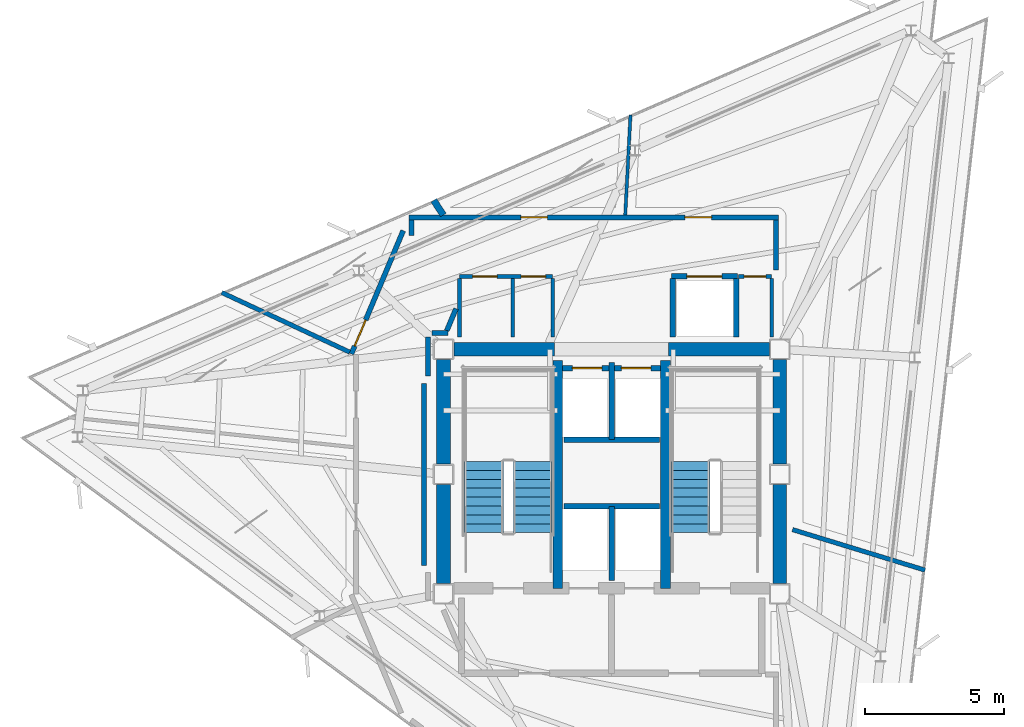
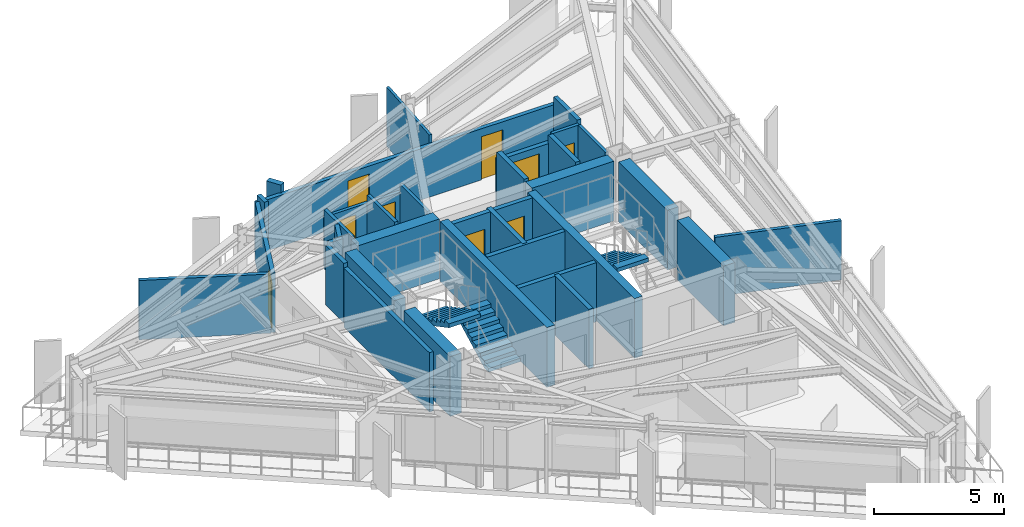
# One storey, part 6 of 10: 34 walls, 9 doors, 3 stair flights, 9 openings, 2 elements without a shape of their own.
"""IFC4 building model written with IfcOpenShell, lengths in metres."""

from ifc_helpers import new_model, si_unit, direction, frame, frame_2d, origin, place, context, subcontext, project, spatial, polyline, rectangle, outline, extrude, material, layer, layer_set, type_object, element, fill, aggregate, save


model = new_model("IFC4")

# Units and contexts
model_context = context("Model", 3, precision=1e-05, world=origin(), true_north=direction((0.0, 1.0)))
body_context = subcontext(model_context, "Body", "Model", "MODEL_VIEW")
ifc_project = project(units=[si_unit("LENGTHUNIT", "METRE"), si_unit("AREAUNIT", "SQUARE_METRE"), si_unit("VOLUMEUNIT", "CUBIC_METRE"), si_unit("PLANEANGLEUNIT", "RADIAN"), si_unit("MASSUNIT", "GRAM", prefix="KILO")], contexts=[model_context])

# Site, building, storey
site_placement = place(None, origin())
site = spatial("IfcSite", under=ifc_project, at=site_placement, CompositionType="ELEMENT")
building_placement = place(site_placement, origin())
building = spatial("IfcBuilding", under=site, at=building_placement, Name="Rocaltana Carrier Exchange", CompositionType="ELEMENT")
storey_placement = place(building_placement, frame((0.0, 0.0, 224.0)))
storey = spatial("IfcBuildingStorey", under=building, at=storey_placement, Name="L71", CompositionType="ELEMENT", Elevation=224.0)

# Walls
ifc_material_1 = material(Name="Double Acoustic Gypsum Partition", Category="gypsum")
ifc_layer_1 = layer(ifc_material_1, 0.159912109375)
ifc_layer_set_1 = layer_set([ifc_layer_1], Name="Double Acoustic Gypsum Partition")
wall_type_1 = type_object("IfcWallType", Name="Acoustic Studio Partition 160 EI60", PredefinedType="PARTITIONING", material=ifc_layer_set_1)
wall_1_placement = place(storey_placement, frame((6.510009765625, -1.990234375, 0.0), z_axis=(0.0, 0.0, 1.0), x_axis=(0.956296423481, -0.292398957653, 0.0)))
element("IfcWall", 1, at=wall_1_placement, inside=storey, type_object=wall_type_1, Name="L71 Suite Divider Wall D4", PredefinedType="PARTITIONING", context=body_context, shape_type="SweptSolid", body=[
    extrude(rectangle(XDim=4.984619140625, YDim=0.159912109375, at=frame_2d((2.4921875, 0.0))), origin(), (0.0, 0.0, 1.0), 2.77294921875),
])
wall_2_placement = place(storey_placement, frame((-9.4267578125, 4.395751953125, 0.0), z_axis=(0.0, 0.0, 1.0), x_axis=(-0.906319380456, 0.422593398682, 0.0)))
element("IfcWall", 2, at=wall_2_placement, inside=storey, type_object=wall_type_1, Name="L71 Suite Divider Wall D7", PredefinedType="PARTITIONING", context=body_context, shape_type="SweptSolid", body=[
    extrude(rectangle(XDim=5.079833984375, YDim=0.159912109375, at=frame_2d((2.5400390625, 0.0))), origin(), (0.0, 0.0, 1.0), 2.77294921875),
])
ifc_material_2 = material(Name="Concrete C50/60", Category="concrete")
ifc_layer_2 = layer(ifc_material_2, 0.35009765625)
ifc_layer_set_2 = layer_set([ifc_layer_2], Name="Concrete C50/60")
wall_type_2 = type_object("IfcWallType", Name="Core Internal Shear Wall 350", PredefinedType="SHEAR", material=ifc_layer_set_2)
for number, where, z_axis, x_axis, name in (
    (3, (-1.93994140625, -4.10009765625, 0.0), (0.0, 0.0, 1.0), (0.0, 1.0, 0.0), "L71 Core Shear Wall CW-STW"),
    (4, (1.93994140625, -4.10009765625, 0.0), (0.0, 0.0, 1.0), (0.0, 1.0, 0.0), "L71 Core Shear Wall CW-STE"),
):
    element("IfcWall", number, at=place(storey_placement, frame(where, z_axis=z_axis, x_axis=x_axis)), inside=storey, type_object=wall_type_2, Name=name, PredefinedType="SHEAR", context=body_context, shape_type="SweptSolid", body=[
        extrude(rectangle(XDim=8.2001953125, YDim=0.35009765625, at=frame_2d((4.10009765625, 0.0))), origin(), (0.0, 0.0, 1.0), 2.798095703125),
    ])
ifc_material_3 = material(Name="Concrete C50/60", Category="concrete")
ifc_layer_3 = layer(ifc_material_3, 0.5)
ifc_layer_set_3 = layer_set([ifc_layer_3], Name="Concrete C50/60")
wall_type_3 = type_object("IfcWallType", Name="Core Shear Wall 500", PredefinedType="SHEAR", material=ifc_layer_set_3)
wall_3_placement = place(storey_placement, frame((-6.050048828125, 0.375, 0.0), z_axis=(0.0, 0.0, 1.0), x_axis=(0.0, 1.0, 0.0)))
element("IfcWall", 5, at=wall_3_placement, inside=storey, type_object=wall_type_3, Name="L71 Core Shear Wall CW-WN", PredefinedType="SHEAR", context=body_context, shape_type="SweptSolid", body=[
    extrude(rectangle(XDim=3.75, YDim=0.5, at=frame_2d((1.875, 0.0))), origin(), (0.0, 0.0, 1.0), 2.798095703125),
])
wall_4_placement = place(storey_placement, frame((-6.050048828125, -3.925048828125, 0.0), z_axis=(0.0, 0.0, 1.0), x_axis=(0.0, 1.0, 0.0)))
element("IfcWall", 6, at=wall_4_placement, inside=storey, type_object=wall_type_3, Name="L71 Core Shear Wall CW-WS", PredefinedType="SHEAR", context=body_context, shape_type="SweptSolid", body=[
    extrude(rectangle(XDim=3.550048828125, YDim=0.5, at=frame_2d((1.77490234375, 0.0))), origin(), (0.0, 0.0, 1.0), 2.798095703125),
])
wall_5_placement = place(storey_placement, frame((6.050048828125, 0.375, 0.0), z_axis=(0.0, 0.0, 1.0), x_axis=(0.0, 1.0, 0.0)))
element("IfcWall", 7, at=wall_5_placement, inside=storey, type_object=wall_type_3, Name="L71 Core Shear Wall CW-EN", PredefinedType="SHEAR", context=body_context, shape_type="SweptSolid", body=[
    extrude(rectangle(XDim=3.75, YDim=0.5, at=frame_2d((1.875, 0.0))), origin(), (0.0, 0.0, 1.0), 2.798095703125),
])
wall_6_placement = place(storey_placement, frame((6.050048828125, -3.925048828125, 0.0), z_axis=(0.0, 0.0, 1.0), x_axis=(0.0, 1.0, 0.0)))
element("IfcWall", 8, at=wall_6_placement, inside=storey, type_object=wall_type_3, Name="L71 Core Shear Wall CW-ES", PredefinedType="SHEAR", context=body_context, shape_type="SweptSolid", body=[
    extrude(rectangle(XDim=3.550048828125, YDim=0.5, at=frame_2d((1.77490234375, 0.0))), origin(), (0.0, 0.0, 1.0), 2.798095703125),
])
for number, where, z_axis, x_axis, name in (
    (9, (-5.675048828125, 4.5, 0.0), (0.0, 0.0, 1.0), (1.0, 0.0, 0.0), "L71 Core Shear Wall CW-N1"),
    (10, (2.050048828125, 4.5, 0.0), (0.0, 0.0, 1.0), (1.0, 0.0, 0.0), "L71 Core Shear Wall CW-N2"),
):
    element("IfcWall", number, at=place(storey_placement, frame(where, z_axis=z_axis, x_axis=x_axis)), inside=storey, type_object=wall_type_3, Name=name, PredefinedType="SHEAR", context=body_context, shape_type="SweptSolid", body=[
        extrude(rectangle(XDim=3.625, YDim=0.5, at=frame_2d((1.8125, 0.0))), origin(), (0.0, 0.0, 1.0), 2.798095703125),
    ])

# Wall, opening, door
ifc_material_4 = material(Name="Gypsum & Steel Stud Partition", Category="steel")
ifc_layer_4 = layer(ifc_material_4, 0.179931640625)
ifc_layer_set_4 = layer_set([ifc_layer_4], Name="Gypsum & Steel Stud Partition")
wall_type_4 = type_object("IfcWallType", Name="Corridor Fire Partition 180 EI60", PredefinedType="PARTITIONING", material=ifc_layer_set_4)
wall_7_placement = place(storey_placement, frame((-9.36669921875, 4.331787109375, 0.0), z_axis=(0.0, 0.0, 1.0), x_axis=(0.387573945081, 0.921838617706, 0.0)))
wall_7 = element("IfcWall", 11, at=wall_7_placement, inside=storey, type_object=wall_type_4, Name="L71 Corridor Partition 3", PredefinedType="PARTITIONING", context=body_context, shape_type="SweptSolid", body=[
    extrude(rectangle(XDim=4.813232421875, YDim=0.179931640625, at=frame_2d((2.40673828125, 0.0))), origin(), (0.0, 0.0, 1.0), 2.77294921875),
])
opening_1_placement = place(wall_7_placement, frame((0.307373046875, 0.0, 0.0)))
opening_1 = element("IfcOpeningElement", 12, at=opening_1_placement, cuts=wall_7, Name="Opening D-LB104", PredefinedType="OPENING", context=body_context, shape_type="SweptSolid", body=[
    extrude(rectangle(XDim=1.02001953125, YDim=2.02001953125, at=frame_2d((0.510009765625, 1.010009765625))), frame((0.0, 0.099853515625, 0.0), z_axis=(0.0, -1.0, 0.0), x_axis=(1.0, 0.0, 0.0)), (0.0, 0.0, 1.0), 0.199951171875),
])
ifc_material_5 = material(Name="Powder-Coated Aluminium 6063-T6", Category="aluminium")
door_type_1 = type_object("IfcDoorType", Name="Laboratory Acoustic Door 1020x2020", OperationType="NOTDEFINED", PredefinedType="DOOR", material=ifc_material_5)
door_1_placement = place(opening_1_placement, origin())
door_1 = element("IfcDoor", 13, at=door_1_placement, inside=storey, type_object=door_type_1, Name="L71 Optical Switching Laboratory Entrance Door", OperationType="SINGLE_SWING_RIGHT", OverallHeight=2.02001953125, OverallWidth=1.02001953125, PredefinedType="DOOR", context=body_context, shape_type="SweptSolid", body=[
    extrude(rectangle(XDim=1.02001953125, YDim=2.02001953125, at=frame_2d((0.510009765625, 1.010009765625))), frame((0.0, 0.02490234375, 0.0), z_axis=(0.0, -1.0, 0.0), x_axis=(1.0, 0.0, 0.0)), (0.0, 0.0, 1.0), 0.050048828125),
])
fill(opening_1, door_1)

# Wall
wall_8_placement = place(storey_placement, frame((-7.199951171875, 8.6005859375, 0.0), z_axis=(0.0, 0.0, 1.0), x_axis=(0.0, 1.0, 0.0)))
element("IfcWall", 14, at=wall_8_placement, inside=storey, type_object=wall_type_4, Name="L71 Corridor Partition 4", PredefinedType="PARTITIONING", context=body_context, shape_type="SweptSolid", body=[
    extrude(rectangle(XDim=0.559326171875, YDim=0.179931640625, at=frame_2d((0.27978515625, 0.0))), origin(), (0.0, 0.0, 1.0), 2.77294921875),
])

# Wall, openings, doors
wall_9_placement = place(storey_placement, frame((-7.2900390625, 9.25, 0.0), z_axis=(0.0, 0.0, 1.0), x_axis=(1.0, 0.0, 0.0)))
wall_9 = element("IfcWall", 15, at=wall_9_placement, inside=storey, type_object=wall_type_4, Name="L71 Corridor Partition 5", PredefinedType="PARTITIONING", context=body_context, shape_type="SweptSolid", body=[
    extrude(rectangle(XDim=13.300048828125, YDim=0.179931640625, at=frame_2d((6.64990234375, 0.0))), origin(), (0.0, 0.0, 1.0), 2.39501953125),
])
opening_2_placement = place(wall_9_placement, frame((9.92919921875, 0.0, 0.0)))
opening_2 = element("IfcOpeningElement", 16, at=opening_2_placement, cuts=wall_9, Name="Opening D-RM098", PredefinedType="OPENING", context=body_context, shape_type="SweptSolid", body=[
    extrude(rectangle(XDim=0.9599609375, YDim=2.02001953125, at=frame_2d((0.47998046875, 1.010009765625))), frame((0.0, 0.099853515625, 0.0), z_axis=(0.0, -1.0, 0.0), x_axis=(1.0, 0.0, 0.0)), (0.0, 0.0, 1.0), 0.199951171875),
])
opening_3_placement = place(wall_9_placement, frame((4.02001953125, 0.0, 0.0)))
opening_3 = element("IfcOpeningElement", 17, at=opening_3_placement, cuts=wall_9, Name="Opening D-RM098", PredefinedType="OPENING", context=body_context, shape_type="SweptSolid", body=[
    extrude(rectangle(XDim=0.9599609375, YDim=2.02001953125, at=frame_2d((0.47998046875, 1.010009765625))), frame((0.0, 0.099853515625, 0.0), z_axis=(0.0, -1.0, 0.0), x_axis=(1.0, 0.0, 0.0)), (0.0, 0.0, 1.0), 0.199951171875),
])
ifc_material_6 = material(Name="Engineered Hardwood Timber", Category="wood")
door_type_2 = type_object("IfcDoorType", Name="Workspace Single Door 960x2020", OperationType="NOTDEFINED", PredefinedType="DOOR", material=ifc_material_6)
door_2_placement = place(opening_2_placement, origin())
door_2 = element("IfcDoor", 18, at=door_2_placement, inside=storey, type_object=door_type_2, Name="L71 Cloud Architecture Office Entrance Door", OperationType="SINGLE_SWING_RIGHT", OverallHeight=2.02001953125, OverallWidth=0.9599609375, PredefinedType="DOOR", context=body_context, shape_type="SweptSolid", body=[
    extrude(rectangle(XDim=0.9599609375, YDim=2.02001953125, at=frame_2d((0.47998046875, 1.010009765625))), frame((0.0, 0.02490234375, 0.0), z_axis=(0.0, -1.0, 0.0), x_axis=(1.0, 0.0, 0.0)), (0.0, 0.0, 1.0), 0.050048828125),
])
fill(opening_2, door_2)
door_3_placement = place(opening_3_placement, origin())
door_3 = element("IfcDoor", 19, at=door_3_placement, inside=storey, type_object=door_type_2, Name="L71 Peering Conference Room Entrance Door", OperationType="SINGLE_SWING_LEFT", OverallHeight=2.02001953125, OverallWidth=0.9599609375, PredefinedType="DOOR", context=body_context, shape_type="SweptSolid", body=[
    extrude(rectangle(XDim=0.9599609375, YDim=2.02001953125, at=frame_2d((0.47998046875, 1.010009765625))), frame((0.0, 0.02490234375, 0.0), z_axis=(0.0, -1.0, 0.0), x_axis=(1.0, 0.0, 0.0)), (0.0, 0.0, 1.0), 0.050048828125),
])
fill(opening_3, door_3)

# Walls
wall_10_placement = place(storey_placement, frame((5.919921875, 9.159912109375, 0.0), z_axis=(0.0, 0.0, 1.0), x_axis=(0.0, -1.0, 0.0)))
element("IfcWall", 20, at=wall_10_placement, inside=storey, type_object=wall_type_4, Name="L71 Corridor Partition 6", PredefinedType="PARTITIONING", context=body_context, shape_type="SweptSolid", body=[
    extrude(rectangle(XDim=1.7998046875, YDim=0.179931640625, at=frame_2d((0.89990234375, 0.0))), origin(), (0.0, 0.0, 1.0), 2.77294921875),
])
wall_11_placement = place(storey_placement, frame((-5.602294921875, 5.9580078125, 0.0), z_axis=(0.0, 0.0, 1.0), x_axis=(-0.387588639363, -0.921832439566, 0.0)))
element("IfcWall", 21, at=wall_11_placement, inside=storey, type_object=wall_type_4, Name="L71 Corridor Partition 8", PredefinedType="PARTITIONING", context=body_context, shape_type="SweptSolid", body=[
    extrude(rectangle(XDim=0.8623046875, YDim=0.179931640625, at=frame_2d((0.43115234375, 0.0))), origin(), (0.0, 0.0, 1.0), 2.77294921875),
])
wall_12_placement = place(storey_placement, frame((-5.88134765625, 5.080078125, 0.0), z_axis=(0.0, 0.0, 1.0), x_axis=(-1.0, 0.0, 0.0)))
element("IfcWall", 22, at=wall_12_placement, inside=storey, type_object=wall_type_4, Name="L71 Corridor Partition 9", PredefinedType="PARTITIONING", context=body_context, shape_type="SweptSolid", body=[
    extrude(rectangle(XDim=0.588623046875, YDim=0.179931640625, at=frame_2d((0.29443359375, 0.0))), origin(), (0.0, 0.0, 1.0), 2.77294921875),
])
wall_13_placement = place(storey_placement, frame((-6.610107421875, 4.93994140625, 0.0), z_axis=(0.0, 0.0, 1.0), x_axis=(0.0, -1.0, 0.0)))
element("IfcWall", 23, at=wall_13_placement, inside=storey, type_object=wall_type_4, Name="L71 Corridor Partition 10", PredefinedType="PARTITIONING", context=body_context, shape_type="SweptSolid", body=[
    extrude(rectangle(XDim=1.398681640625, YDim=0.179931640625, at=frame_2d((0.69921875, 0.0))), origin(), (0.0, 0.0, 1.0), 2.77294921875),
])
wall_14_placement = place(storey_placement, frame((-6.75, 3.2734375, 0.0), z_axis=(0.0, 0.0, 1.0), x_axis=(0.0, -1.0, 0.0)))
element("IfcWall", 24, at=wall_14_placement, inside=storey, type_object=wall_type_4, Name="L71 Corridor Partition 11", PredefinedType="PARTITIONING", context=body_context, shape_type="SweptSolid", body=[
    extrude(rectangle(XDim=6.546875, YDim=0.179931640625, at=frame_2d((3.2734375, 0.0))), origin(), (0.0, 0.0, 1.0), 2.77294921875),
])
ifc_material_7 = material(Name="Aluminium 6063-T6 & Acoustic Glass", Category="aluminium")
ifc_layer_5 = layer(ifc_material_7, 0.114990234375)
ifc_layer_set_5 = layer_set([ifc_layer_5], Name="Aluminium 6063-T6 & Acoustic Glass")
wall_type_5 = type_object("IfcWallType", Name="Demountable Glazed Lab Partition 115", PredefinedType="MOVABLE", material=ifc_layer_set_5)
wall_15_placement = place(storey_placement, frame((0.489013671875, 9.330078125, 0.0), z_axis=(0.0, 0.0, 1.0), x_axis=(0.05229993373, 0.998631421963, 0.0)))
element("IfcWall", 25, at=wall_15_placement, inside=storey, type_object=wall_type_5, Name="L71 Suite Divider Wall D5", PredefinedType="MOVABLE", context=body_context, shape_type="SweptSolid", body=[
    extrude(rectangle(XDim=3.613037109375, YDim=0.114990234375, at=frame_2d((1.806640625, 0.0))), origin(), (0.0, 0.0, 1.0), 2.77294921875),
])
ifc_material_8 = material(Name="Acoustic Calcium Silicate Partition", Category="gypsum")
ifc_layer_6 = layer(ifc_material_8, 0.239990234375)
ifc_layer_set_6 = layer_set([ifc_layer_6], Name="Acoustic Calcium Silicate Partition")
wall_type_6 = type_object("IfcWallType", Name="Heavy Lab Partition 240 EI90", PredefinedType="PARTITIONING", material=ifc_layer_set_6)
wall_16_placement = place(storey_placement, frame((-6.05908203125, 9.330078125, 0.0), z_axis=(0.0, 0.0, 1.0), x_axis=(-0.54466198204, 0.838655665527, 0.0)))
element("IfcWall", 26, at=wall_16_placement, inside=storey, type_object=wall_type_6, Name="L71 Suite Divider Wall D6", PredefinedType="PARTITIONING", context=body_context, shape_type="SweptSolid", body=[
    extrude(rectangle(XDim=0.631103515625, YDim=0.239990234375, at=frame_2d((0.3154296875, 0.0))), origin(), (0.0, 0.0, 1.0), 2.77294921875),
])
ifc_material_9 = material(Name="Reinforced Concrete Block C35/45", Category="concrete")
ifc_layer_7 = layer(ifc_material_9, 0.199951171875)
ifc_layer_set_7 = layer_set([ifc_layer_7], Name="Reinforced Concrete Block C35/45")
wall_type_7 = type_object("IfcWallType", Name="Lift Hoistway Enclosure Wall 200 EI120", PredefinedType="PARTITIONING", material=ifc_layer_set_7)
wall_17_placement = place(storey_placement, frame((0.0, -3.820068359375, 0.0), z_axis=(0.0, 0.0, 1.0), x_axis=(0.0, 1.0, 0.0)))
element("IfcWall", 27, at=wall_17_placement, inside=storey, type_object=wall_type_7, Name="L71 FFL Shaft Divider", PredefinedType="PARTITIONING", context=body_context, shape_type="SweptSolid", body=[
    extrude(rectangle(XDim=2.670166015625, YDim=0.199951171875, at=frame_2d((1.3349609375, 0.0))), origin(), (0.0, 0.0, 1.0), 2.77294921875),
])
wall_18_placement = place(storey_placement, frame((-1.719970703125, -1.14990234375, 0.0), z_axis=(0.0, 0.0, 1.0), x_axis=(1.0, 0.0, 0.0)))
element("IfcWall", 28, at=wall_18_placement, inside=storey, type_object=wall_type_7, Name="L71 FFL Shaft Back Wall", PredefinedType="PARTITIONING", context=body_context, shape_type="SweptSolid", body=[
    extrude(rectangle(XDim=3.43994140625, YDim=0.199951171875, at=frame_2d((1.719970703125, 0.0))), origin(), (0.0, 0.0, 1.0), 2.77294921875),
])
wall_19_placement = place(storey_placement, frame((0.0, 1.25, 0.0), z_axis=(0.0, 0.0, 1.0), x_axis=(0.0, 1.0, 0.0)))
element("IfcWall", 29, at=wall_19_placement, inside=storey, type_object=wall_type_7, Name="L71 High-Rise Shaft Divider", PredefinedType="PARTITIONING", context=body_context, shape_type="SweptSolid", body=[
    extrude(rectangle(XDim=2.77001953125, YDim=0.199951171875, at=frame_2d((1.385009765625, 0.0))), origin(), (0.0, 0.0, 1.0), 2.77294921875),
])
wall_20_placement = place(storey_placement, frame((-1.719970703125, 1.25, 0.0), z_axis=(0.0, 0.0, 1.0), x_axis=(1.0, 0.0, 0.0)))
element("IfcWall", 30, at=wall_20_placement, inside=storey, type_object=wall_type_7, Name="L71 High-Rise Shaft Back Wall", PredefinedType="PARTITIONING", context=body_context, shape_type="SweptSolid", body=[
    extrude(rectangle(XDim=3.43994140625, YDim=0.199951171875, at=frame_2d((1.719970703125, 0.0))), origin(), (0.0, 0.0, 1.0), 2.77294921875),
])

# Wall, openings, doors
wall_21_placement = place(storey_placement, frame((-1.760009765625, 3.820068359375, 0.0), z_axis=(0.0, 0.0, 1.0), x_axis=(1.0, 0.0, 0.0)))
wall_21 = element("IfcWall", 31, at=wall_21_placement, inside=storey, type_object=wall_type_7, Name="L71 High-Rise Lift Front Wall", PredefinedType="PARTITIONING", context=body_context, shape_type="SweptSolid", body=[
    extrude(rectangle(XDim=3.52001953125, YDim=0.199951171875, at=frame_2d((1.760009765625, 0.0))), origin(), (0.0, 0.0, 1.0), 2.77294921875),
])
opening_4_placement = place(wall_21_placement, frame((0.35009765625, 0.0, 0.0)))
opening_4 = element("IfcOpeningElement", 32, at=opening_4_placement, cuts=wall_21, Name="Opening LD-110", PredefinedType="OPENING", context=body_context, shape_type="SweptSolid", body=[
    extrude(rectangle(XDim=1.06005859375, YDim=2.0400390625, at=frame_2d((0.530029296875, 1.02001953125))), frame((0.0, 0.10986328125, 0.0), z_axis=(0.0, -1.0, 0.0), x_axis=(1.0, 0.0, 0.0)), (0.0, 0.0, 1.0), 0.219970703125),
])
opening_5_placement = place(wall_21_placement, frame((2.110107421875, 0.0, 0.0)))
opening_5 = element("IfcOpeningElement", 33, at=opening_5_placement, cuts=wall_21, Name="Opening LD-110", PredefinedType="OPENING", context=body_context, shape_type="SweptSolid", body=[
    extrude(rectangle(XDim=1.06005859375, YDim=2.0400390625, at=frame_2d((0.530029296875, 1.02001953125))), frame((0.0, 0.10986328125, 0.0), z_axis=(0.0, -1.0, 0.0), x_axis=(1.0, 0.0, 0.0)), (0.0, 0.0, 1.0), 0.219970703125),
])
ifc_material_10 = material(Name="Brushed Stainless Sliding Door Leaf", Category="steel")
door_type_3 = type_object("IfcDoorType", Name="Lift Landing Sliding Door 1060x2040", OperationType="NOTDEFINED", PredefinedType="DOOR", material=ifc_material_10)
door_4_placement = place(opening_4_placement, origin())
door_4 = element("IfcDoor", 34, at=door_4_placement, inside=storey, type_object=door_type_3, Name="L71 High-Rise Lift PLH1 Landing Door", OperationType="SLIDING_TO_LEFT", OverallHeight=2.0400390625, OverallWidth=1.06005859375, PredefinedType="DOOR", context=body_context, shape_type="SweptSolid", body=[
    extrude(rectangle(XDim=1.06005859375, YDim=2.0400390625, at=frame_2d((0.530029296875, 1.02001953125))), frame((0.0, 0.02490234375, 0.0), z_axis=(0.0, -1.0, 0.0), x_axis=(1.0, 0.0, 0.0)), (0.0, 0.0, 1.0), 0.050048828125),
])
fill(opening_4, door_4)
door_5_placement = place(opening_5_placement, origin())
door_5 = element("IfcDoor", 35, at=door_5_placement, inside=storey, type_object=door_type_3, Name="L71 High-Rise Lift PLH2 Landing Door", OperationType="SLIDING_TO_RIGHT", OverallHeight=2.0400390625, OverallWidth=1.06005859375, PredefinedType="DOOR", context=body_context, shape_type="SweptSolid", body=[
    extrude(rectangle(XDim=1.06005859375, YDim=2.0400390625, at=frame_2d((0.530029296875, 1.02001953125))), frame((0.0, 0.02490234375, 0.0), z_axis=(0.0, -1.0, 0.0), x_axis=(1.0, 0.0, 0.0)), (0.0, 0.0, 1.0), 0.050048828125),
])
fill(opening_5, door_5)

# Walls
for number, where, z_axis, x_axis, name in (
    (36, (2.199951171875, 4.949951171875, 0.0), (0.0, 0.0, 1.0), (0.0, 1.0, 0.0), "L71 Goods Lift West Wall"),
    (37, (4.47998046875, 4.949951171875, 0.0), (0.0, 0.0, 1.0), (0.0, 1.0, 0.0), "L71 Goods Lift East Wall"),
):
    element("IfcWall", number, at=place(storey_placement, frame(where, z_axis=z_axis, x_axis=x_axis)), inside=storey, type_object=wall_type_7, Name=name, PredefinedType="PARTITIONING", context=body_context, shape_type="SweptSolid", body=[
        extrude(rectangle(XDim=2.10009765625, YDim=0.199951171875, at=frame_2d((1.050048828125, 0.0))), origin(), (0.0, 0.0, 1.0), 2.77294921875),
    ])

# Wall, opening, door
wall_22_placement = place(storey_placement, frame((2.14990234375, 7.1201171875, 0.0), z_axis=(0.0, 0.0, 1.0), x_axis=(1.0, 0.0, 0.0)))
wall_22 = element("IfcWall", 38, at=wall_22_placement, inside=storey, type_object=wall_type_7, Name="L71 Goods Lift Front Wall", PredefinedType="PARTITIONING", context=body_context, shape_type="SweptSolid", body=[
    extrude(rectangle(XDim=2.380126953125, YDim=0.199951171875, at=frame_2d((1.18994140625, 0.0))), origin(), (0.0, 0.0, 1.0), 2.39501953125),
])
opening_6_placement = place(wall_22_placement, frame((0.56005859375, 0.0, 0.0)))
opening_6 = element("IfcOpeningElement", 39, at=opening_6_placement, cuts=wall_22, Name="Opening LD-130", PredefinedType="OPENING", context=body_context, shape_type="SweptSolid", body=[
    extrude(rectangle(XDim=1.260009765625, YDim=2.06005859375, at=frame_2d((0.6298828125, 1.030029296875))), frame((0.0, 0.10986328125, 0.0), z_axis=(0.0, -1.0, 0.0), x_axis=(1.0, 0.0, 0.0)), (0.0, 0.0, 1.0), 0.219970703125),
])
ifc_material_11 = material(Name="Brushed Stainless Sliding Door Leaf", Category="steel")
door_type_4 = type_object("IfcDoorType", Name="Goods Lift Landing Sliding Door 1260x2060", OperationType="NOTDEFINED", PredefinedType="DOOR", material=ifc_material_11)
door_6_placement = place(opening_6_placement, origin())
door_6 = element("IfcDoor", 40, at=door_6_placement, inside=storey, type_object=door_type_4, Name="L71 Goods Lift GL-1 Landing Door", OperationType="SLIDING_TO_LEFT", OverallHeight=2.06005859375, OverallWidth=1.260009765625, PredefinedType="DOOR", context=body_context, shape_type="SweptSolid", body=[
    extrude(rectangle(XDim=1.260009765625, YDim=2.06005859375, at=frame_2d((0.6298828125, 1.030029296875))), frame((0.0, 0.02490234375, 0.0), z_axis=(0.0, -1.0, 0.0), x_axis=(1.0, 0.0, 0.0)), (0.0, 0.0, 1.0), 0.050048828125),
])
fill(opening_6, door_6)

# Walls
ifc_material_12 = material(Name="Moisture-Resistant Masonry C30/37", Category="masonry")
ifc_layer_8 = layer(ifc_material_12, 0.139892578125)
ifc_layer_set_8 = layer_set([ifc_layer_8], Name="Moisture-Resistant Masonry C30/37")
wall_type_8 = type_object("IfcWallType", Name="Wet-Area Sanitary Partition 140", PredefinedType="PARTITIONING", material=ifc_layer_set_8)
for number, where, z_axis, x_axis, name in (
    (41, (-5.47998046875, 4.949951171875, 0.0), (0.0, 0.0, 1.0), (0.0, 1.0, 0.0), "L71 Sanitary West Wall"),
    (42, (-3.56005859375, 4.949951171875, 0.0), (0.0, 0.0, 1.0), (0.0, 1.0, 0.0), "L71 Sanitary Divider"),
    (43, (-2.1201171875, 4.949951171875, 0.0), (0.0, 0.0, 1.0), (0.0, 1.0, 0.0), "L71 Sanitary East Wall"),
):
    element("IfcWall", number, at=place(storey_placement, frame(where, z_axis=z_axis, x_axis=x_axis)), inside=storey, type_object=wall_type_8, Name=name, PredefinedType="PARTITIONING", context=body_context, shape_type="SweptSolid", body=[
        extrude(rectangle(XDim=2.10009765625, YDim=0.139892578125, at=frame_2d((1.050048828125, 0.0))), origin(), (0.0, 0.0, 1.0), 2.77294921875),
    ])

# Wall, openings, doors
wall_23_placement = place(storey_placement, frame((-5.47998046875, 7.1201171875, 0.0), z_axis=(0.0, 0.0, 1.0), x_axis=(1.0, 0.0, 0.0)))
wall_23 = element("IfcWall", 44, at=wall_23_placement, inside=storey, type_object=wall_type_8, Name="L71 Sanitary North Wall", PredefinedType="PARTITIONING", context=body_context, shape_type="SweptSolid", body=[
    extrude(rectangle(XDim=3.35986328125, YDim=0.139892578125, at=frame_2d((1.679931640625, 0.0))), origin(), (0.0, 0.0, 1.0), 2.39501953125),
])
opening_7_placement = place(wall_23_placement, frame((0.47998046875, 0.0, 0.0)))
opening_7 = element("IfcOpeningElement", 45, at=opening_7_placement, cuts=wall_23, Name="Opening D-WC090", PredefinedType="OPENING", context=body_context, shape_type="SweptSolid", body=[
    extrude(rectangle(XDim=0.8798828125, YDim=2.02001953125, at=frame_2d((0.43994140625, 1.010009765625))), frame((0.0, 0.079833984375, 0.0), z_axis=(0.0, -1.0, 0.0), x_axis=(1.0, 0.0, 0.0)), (0.0, 0.0, 1.0), 0.159912109375),
])
opening_8_placement = place(wall_23_placement, frame((2.219970703125, 0.0, 0.0)))
opening_8 = element("IfcOpeningElement", 46, at=opening_8_placement, cuts=wall_23, Name="Opening D-WC090", PredefinedType="OPENING", context=body_context, shape_type="SweptSolid", body=[
    extrude(rectangle(XDim=0.8798828125, YDim=2.02001953125, at=frame_2d((0.43994140625, 1.010009765625))), frame((0.0, 0.079833984375, 0.0), z_axis=(0.0, -1.0, 0.0), x_axis=(1.0, 0.0, 0.0)), (0.0, 0.0, 1.0), 0.159912109375),
])
ifc_material_13 = material(Name="High-Pressure Laminate Timber", Category="wood")
door_type_5 = type_object("IfcDoorType", Name="Restroom & Accessible WC Door 880x2020", OperationType="NOTDEFINED", PredefinedType="DOOR", material=ifc_material_13)
door_7_placement = place(opening_7_placement, origin())
door_7 = element("IfcDoor", 47, at=door_7_placement, inside=storey, type_object=door_type_5, Name="L71 Accessible Toilet Door", OperationType="SINGLE_SWING_RIGHT", OverallHeight=2.02001953125, OverallWidth=0.8798828125, PredefinedType="DOOR", context=body_context, shape_type="SweptSolid", body=[
    extrude(rectangle(XDim=0.8798828125, YDim=2.02001953125, at=frame_2d((0.43994140625, 1.010009765625))), frame((0.0, 0.02490234375, 0.0), z_axis=(0.0, -1.0, 0.0), x_axis=(1.0, 0.0, 0.0)), (0.0, 0.0, 1.0), 0.050048828125),
])
fill(opening_7, door_7)
door_8_placement = place(opening_8_placement, origin())
door_8 = element("IfcDoor", 48, at=door_8_placement, inside=storey, type_object=door_type_5, Name="L71 Staff Restroom Door", OperationType="SINGLE_SWING_LEFT", OverallHeight=2.02001953125, OverallWidth=0.8798828125, PredefinedType="DOOR", context=body_context, shape_type="SweptSolid", body=[
    extrude(rectangle(XDim=0.8798828125, YDim=2.02001953125, at=frame_2d((0.43994140625, 1.010009765625))), frame((0.0, 0.02490234375, 0.0), z_axis=(0.0, -1.0, 0.0), x_axis=(1.0, 0.0, 0.0)), (0.0, 0.0, 1.0), 0.050048828125),
])
fill(opening_8, door_8)

# Wall
wall_24_placement = place(storey_placement, frame((5.760009765625, 4.949951171875, 0.0), z_axis=(0.0, 0.0, 1.0), x_axis=(0.0, 1.0, 0.0)))
element("IfcWall", 49, at=wall_24_placement, inside=storey, type_object=wall_type_8, Name="L71 Riser East Wall", PredefinedType="PARTITIONING", context=body_context, shape_type="SweptSolid", body=[
    extrude(rectangle(XDim=2.10009765625, YDim=0.139892578125, at=frame_2d((1.050048828125, 0.0))), origin(), (0.0, 0.0, 1.0), 2.77294921875),
])

# Wall, opening, door
wall_25_placement = place(storey_placement, frame((4.56005859375, 7.1201171875, 0.0), z_axis=(0.0, 0.0, 1.0), x_axis=(1.0, 0.0, 0.0)))
wall_25 = element("IfcWall", 50, at=wall_25_placement, inside=storey, type_object=wall_type_8, Name="L71 Riser North Wall", PredefinedType="PARTITIONING", context=body_context, shape_type="SweptSolid", body=[
    extrude(rectangle(XDim=1.199951171875, YDim=0.139892578125, at=frame_2d((0.60009765625, 0.0))), origin(), (0.0, 0.0, 1.0), 2.77294921875),
])
opening_9_placement = place(wall_25_placement, frame((0.2099609375, 0.0, 0.0)))
opening_9 = element("IfcOpeningElement", 51, at=opening_9_placement, cuts=wall_25, Name="Opening D-RS082", PredefinedType="OPENING", context=body_context, shape_type="SweptSolid", body=[
    extrude(rectangle(XDim=0.780029296875, YDim=2.010009765625, at=frame_2d((0.39013671875, 1.0048828125))), frame((0.0, 0.079833984375, 0.0), z_axis=(0.0, -1.0, 0.0), x_axis=(1.0, 0.0, 0.0)), (0.0, 0.0, 1.0), 0.159912109375),
])
ifc_material_14 = material(Name="Hollow Metal Access Door Leaf", Category="steel")
door_type_6 = type_object("IfcDoorType", Name="Riser & Service Closet Door 780x2010", OperationType="NOTDEFINED", PredefinedType="DOOR", material=ifc_material_14)
door_9_placement = place(opening_9_placement, origin())
door_9 = element("IfcDoor", 52, at=door_9_placement, inside=storey, type_object=door_type_6, Name="L71 Fibre Riser Closet Door", OperationType="SINGLE_SWING_RIGHT", OverallHeight=2.010009765625, OverallWidth=0.780029296875, PredefinedType="DOOR", context=body_context, shape_type="SweptSolid", body=[
    extrude(rectangle(XDim=0.780029296875, YDim=2.010009765625, at=frame_2d((0.39013671875, 1.0048828125))), frame((0.0, 0.02490234375, 0.0), z_axis=(0.0, -1.0, 0.0), x_axis=(1.0, 0.0, 0.0)), (0.0, 0.0, 1.0), 0.050048828125),
])
fill(opening_9, door_9)

# Stair, stair flights
ifc_material_15 = material(Name="Precast concrete C45/55", Category="concrete")
stair_type = type_object("IfcStairType", Name="Standard Dog-Leg Stair 160", PredefinedType="HALF_TURN_STAIR", material=ifc_material_15)
stair_1_placement = place(storey_placement, origin())
stair_1 = element("IfcStair", 53, at=stair_1_placement, inside=storey, type_object=stair_type, Name="L71 Core West Exit Stair ST-1", PredefinedType="HALF_TURN_STAIR")
ifc_material_16 = material(Name="Precast concrete C45/55", Category="concrete")
stair_flight_type = type_object("IfcStairFlightType", Name="Precast Stair Flight 160", PredefinedType="STRAIGHT", material=ifc_material_16)
stair_flight_1_placement = place(storey_placement, frame((-2.840087890625, -2.10009765625, 0.0), z_axis=(0.0, 0.0, 1.0), x_axis=(0.0, 1.0, 0.0)))
stair_flight_1 = element("IfcStairFlight", 54, at=stair_flight_1_placement, type_object=stair_flight_type, Name="ST-1 flight 1", NumberOfRisers=9, NumberOfTreads=8, PredefinedType="STRAIGHT", RiserHeight=0.168888889, TreadLength=0.32, context=body_context, shape_type="SweptSolid", body=[
    extrude(outline(polyline([(0.0, 0.0), (0.0, 0.1689453125), (0.320068359375, 0.1689453125), (0.320068359375, 0.337890625), (0.639892578125, 0.337890625), (0.639892578125, 0.506591796875), (0.9599609375, 0.506591796875), (0.9599609375, 0.675537109375), (1.280029296875, 0.675537109375), (1.280029296875, 0.844482421875), (1.60009765625, 0.844482421875), (1.60009765625, 1.013427734375), (1.919921875, 1.013427734375), (1.919921875, 1.18212890625), (2.239990234375, 1.18212890625), (2.239990234375, 1.35107421875), (2.56005859375, 1.35107421875), (2.56005859375, 1.52001953125), (2.56005859375, 1.17041015625), (0.342529296875, 0.0), (0.0, 0.0)])), frame((0.0, 0.699951171875, 0.0), z_axis=(0.0, -1.0, 0.0), x_axis=(1.0, 0.0, 0.0)), (0.0, 0.0, 1.0), 1.39990234375),
])
stair_flight_2_placement = place(storey_placement, frame((-4.60009765625, 0.4599609375, 1.52001953125), z_axis=(0.0, 0.0, 1.0), x_axis=(0.0, -1.0, 0.0)))
stair_flight_2 = element("IfcStairFlight", 55, at=stair_flight_2_placement, type_object=stair_flight_type, Name="ST-1 flight 2", NumberOfRisers=9, NumberOfTreads=8, PredefinedType="STRAIGHT", RiserHeight=0.168888889, TreadLength=0.32, context=body_context, shape_type="SweptSolid", body=[
    extrude(outline(polyline([(0.0, 0.0), (0.0, 0.1689453125), (0.320068359375, 0.1689453125), (0.320068359375, 0.337890625), (0.639892578125, 0.337890625), (0.639892578125, 0.506591796875), (0.9599609375, 0.506591796875), (0.9599609375, 0.675537109375), (1.280029296875, 0.675537109375), (1.280029296875, 0.844482421875), (1.60009765625, 0.844482421875), (1.60009765625, 1.013427734375), (1.919921875, 1.013427734375), (1.919921875, 1.18212890625), (2.239990234375, 1.18212890625), (2.239990234375, 1.35107421875), (2.56005859375, 1.35107421875), (2.56005859375, 1.52001953125), (2.56005859375, 1.17041015625), (0.342529296875, 0.0), (0.0, 0.0)])), frame((0.0, 0.699951171875, 0.0), z_axis=(0.0, -1.0, 0.0), x_axis=(1.0, 0.0, 0.0)), (0.0, 0.0, 1.0), 1.39990234375),
])
aggregate(stair_1, [stair_flight_1, stair_flight_2])

# Stair, stair flight
stair_2_placement = place(storey_placement, origin())
stair_2 = element("IfcStair", 56, at=stair_2_placement, inside=storey, type_object=stair_type, Name="L71 Core East Exit Stair ST-2", PredefinedType="HALF_TURN_STAIR")
stair_flight_3_placement = place(storey_placement, frame((2.840087890625, 0.4599609375, 1.52001953125), z_axis=(0.0, 0.0, 1.0), x_axis=(0.0, -1.0, 0.0)))
stair_flight_3 = element("IfcStairFlight", 57, at=stair_flight_3_placement, type_object=stair_flight_type, Name="ST-2 flight 2", NumberOfRisers=9, NumberOfTreads=8, PredefinedType="STRAIGHT", RiserHeight=0.168888889, TreadLength=0.32, context=body_context, shape_type="SweptSolid", body=[
    extrude(outline(polyline([(0.0, 0.0), (0.0, 0.1689453125), (0.320068359375, 0.1689453125), (0.320068359375, 0.337890625), (0.639892578125, 0.337890625), (0.639892578125, 0.506591796875), (0.9599609375, 0.506591796875), (0.9599609375, 0.675537109375), (1.280029296875, 0.675537109375), (1.280029296875, 0.844482421875), (1.60009765625, 0.844482421875), (1.60009765625, 1.013427734375), (1.919921875, 1.013427734375), (1.919921875, 1.18212890625), (2.239990234375, 1.18212890625), (2.239990234375, 1.35107421875), (2.56005859375, 1.35107421875), (2.56005859375, 1.52001953125), (2.56005859375, 1.17041015625), (0.342529296875, 0.0), (0.0, 0.0)])), frame((0.0, 0.699951171875, 0.0), z_axis=(0.0, -1.0, 0.0), x_axis=(1.0, 0.0, 0.0)), (0.0, 0.0, 1.0), 1.39990234375),
])
aggregate(stair_2, [stair_flight_3])

save(model, "model.ifc")
